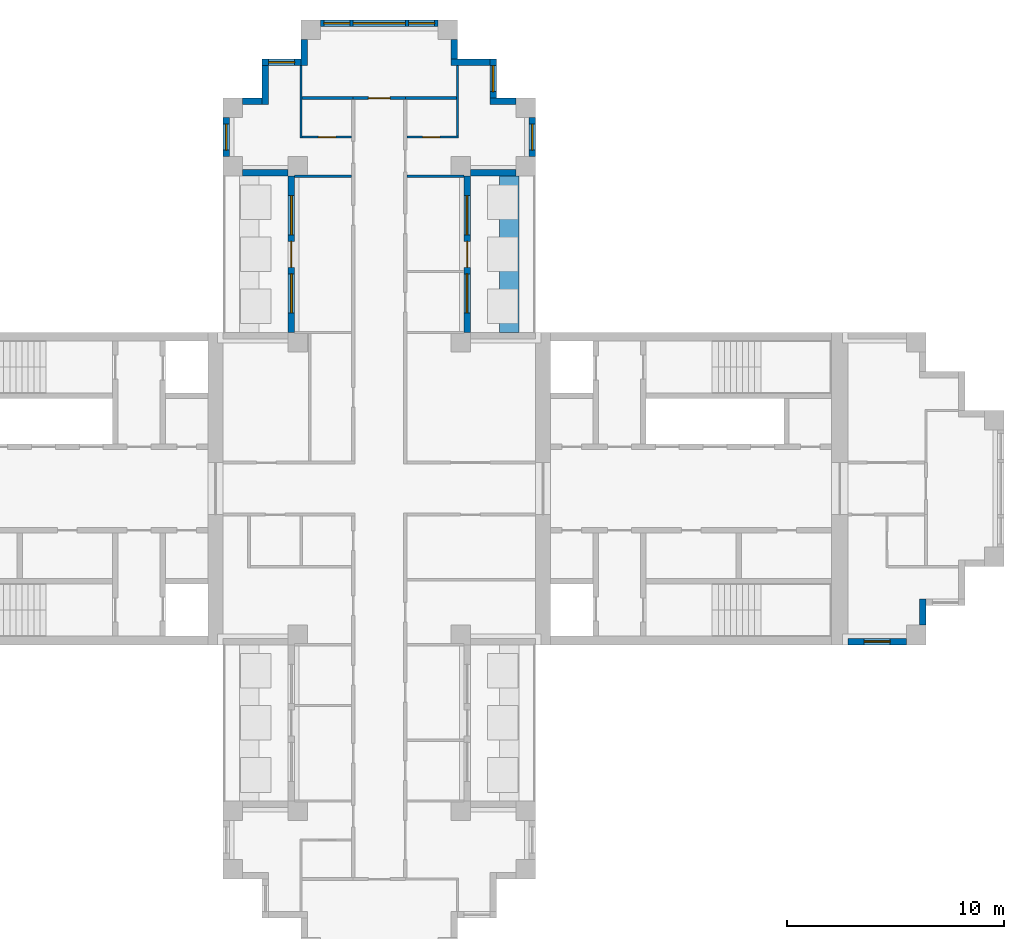
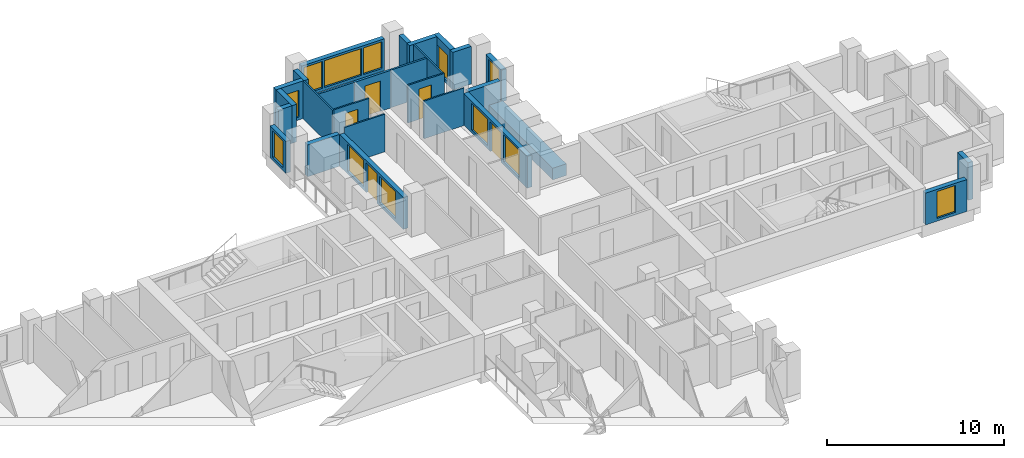
# One storey, part 7 of 11: 27 walls, 12 windows, 5 doors, 17 openings.
"""IFC4 building model written with IfcOpenShell, lengths in metres."""

from ifc_helpers import new_model, si_unit, direction, frame, frame_2d, origin, place, context, subcontext, project, spatial, rectangle, extrude, material, layer, layer_set, type_object, element, fill, save


model = new_model("IFC4")

# Units and contexts
model_context = context("Model", 3, precision=1e-05, world=origin(), true_north=direction((0.0, 1.0)))
body_context = subcontext(model_context, "Body", "Model", "MODEL_VIEW")
ifc_project = project(units=[si_unit("LENGTHUNIT", "METRE"), si_unit("AREAUNIT", "SQUARE_METRE"), si_unit("VOLUMEUNIT", "CUBIC_METRE"), si_unit("PLANEANGLEUNIT", "RADIAN"), si_unit("MASSUNIT", "GRAM", prefix="KILO")], contexts=[model_context])

# Site, building, storey
site_placement = place(None, origin())
site = spatial("IfcSite", under=ifc_project, at=site_placement, CompositionType="ELEMENT")
building_placement = place(site_placement, origin())
building = spatial("IfcBuilding", under=site, at=building_placement, Name="Fustian Cross Tower", CompositionType="ELEMENT")
storey_placement = place(building_placement, frame((0.0, 0.0, 176.699951171875)))
storey = spatial("IfcBuildingStorey", under=building, at=storey_placement, Name="L55", CompositionType="ELEMENT", Elevation=176.699951171875)

# Wall, opening, door
ifc_material_1 = material(Name="Plasterboard on steel stud", Category="steel")
ifc_layer_1 = layer(ifc_material_1, 0.14990234375)
ifc_layer_set_1 = layer_set([ifc_layer_1], Name="Plasterboard on steel stud")
wall_type_1 = type_object("IfcWallType", Name="COMPARTMENT WALL 150 EI 60", PredefinedType="PARTITIONING", material=ifc_layer_set_1)
wall_1_placement = place(storey_placement, frame((-1.199951171875, 18.0, 0.0), z_axis=(0.0, 0.0, 1.0), x_axis=(1.0, 0.0, 0.0)))
wall_1 = element("IfcWall", 1, at=wall_1_placement, inside=storey, type_object=wall_type_1, Name="Partition 33", PredefinedType="PARTITIONING", context=body_context, shape_type="SweptSolid", body=[
    extrude(rectangle(XDim=2.39990234375, YDim=0.14990234375, at=frame_2d((1.199951171875, 0.0))), origin(), (0.0, 0.0, 1.0), 2.60009765625),
])
opening_1_placement = place(wall_1_placement, frame((0.699951171875, 0.0, 0.0)))
opening_1 = element("IfcOpeningElement", 2, at=opening_1_placement, cuts=wall_1, Name="Opening D25013", PredefinedType="OPENING", context=body_context, shape_type="SweptSolid", body=[
    extrude(rectangle(XDim=1.0, YDim=2.10009765625, at=frame_2d((0.5, 1.050048828125))), frame((0.0, 0.0849609375, 0.0), z_axis=(0.0, -1.0, 0.0), x_axis=(1.0, 0.0, 0.0)), (0.0, 0.0, 1.0), 0.169921875),
])
ifc_material_2 = material(Name="Timber fire door set", Category="wood")
door_type_1 = type_object("IfcDoorType", Name="FIRE SWING DOOR 1000 FD30S", OperationType="SINGLE_SWING_LEFT", PredefinedType="DOOR", material=ifc_material_2)
door_1_placement = place(opening_1_placement, origin())
door_1 = element("IfcDoor", 3, at=door_1_placement, inside=storey, type_object=door_type_1, Name="Door D25013", OperationType="SINGLE_SWING_LEFT", OverallHeight=2.10009765625, OverallWidth=1.0, PredefinedType="DOOR", context=body_context, shape_type="SweptSolid", body=[
    extrude(rectangle(XDim=1.0, YDim=2.10009765625, at=frame_2d((0.5, 1.050048828125))), frame((0.0, 0.02490234375, 0.0), z_axis=(0.0, -1.0, 0.0), x_axis=(1.0, 0.0, 0.0)), (0.0, 0.0, 1.0), 0.050048828125),
])
fill(opening_1, door_1)

# Walls
ifc_material_3 = material(Name="Plasterboard on steel stud", Category="steel")
ifc_layer_2 = layer(ifc_material_3, 0.10009765625)
ifc_layer_set_2 = layer_set([ifc_layer_2], Name="Plasterboard on steel stud")
wall_type_2 = type_object("IfcWallType", Name="PARTITION 100 STUD", PredefinedType="PARTITIONING", material=ifc_layer_set_2)
wall_2_placement = place(storey_placement, frame((-3.89990234375, 14.39990234375, 0.0), z_axis=(0.0, 0.0, 1.0), x_axis=(1.0, 0.0, 0.0)))
element("IfcWall", 4, at=wall_2_placement, inside=storey, type_object=wall_type_2, Name="Partition 21", PredefinedType="PARTITIONING", context=body_context, shape_type="SweptSolid", body=[
    extrude(rectangle(XDim=2.625, YDim=0.10009765625, at=frame_2d((1.3125, 0.0))), origin(), (0.0, 0.0, 1.0), 2.60009765625),
])
wall_3_placement = place(storey_placement, frame((-3.60009765625, 16.14990234375, 0.0), z_axis=(0.0, 0.0, 1.0), x_axis=(0.0, 1.0, 0.0)))
element("IfcWall", 5, at=wall_3_placement, inside=storey, type_object=wall_type_2, Name="Partition 26", PredefinedType="PARTITIONING", context=body_context, shape_type="SweptSolid", body=[
    extrude(rectangle(XDim=3.35009765625, YDim=0.10009765625, at=frame_2d((1.675048828125, 0.0))), origin(), (0.0, 0.0, 1.0), 2.60009765625),
])

# Wall, opening, door
wall_4_placement = place(storey_placement, frame((-3.550048828125, 16.199951171875, 0.0), z_axis=(0.0, 0.0, 1.0), x_axis=(1.0, 0.0, 0.0)))
wall_4 = element("IfcWall", 6, at=wall_4_placement, inside=storey, type_object=wall_type_2, Name="Partition 27", PredefinedType="PARTITIONING", context=body_context, shape_type="SweptSolid", body=[
    extrude(rectangle(XDim=2.275146484375, YDim=0.10009765625, at=frame_2d((1.1376953125, 0.0))), origin(), (0.0, 0.0, 1.0), 2.60009765625),
])
opening_2_placement = place(wall_4_placement, frame((0.75, 0.0, 0.0)))
opening_2 = element("IfcOpeningElement", 7, at=opening_2_placement, cuts=wall_4, Name="Opening D25015", PredefinedType="OPENING", context=body_context, shape_type="SweptSolid", body=[
    extrude(rectangle(XDim=0.800048828125, YDim=2.10009765625, at=frame_2d((0.39990234375, 1.050048828125))), frame((0.0, 0.06005859375, 0.0), z_axis=(0.0, -1.0, 0.0), x_axis=(1.0, 0.0, 0.0)), (0.0, 0.0, 1.0), 0.1201171875),
])
ifc_material_4 = material(Name="Painted timber", Category="wood")
door_type_2 = type_object("IfcDoorType", Name="SWING DOOR 800", OperationType="SINGLE_SWING_LEFT", PredefinedType="DOOR", material=ifc_material_4)
door_2_placement = place(opening_2_placement, origin())
door_2 = element("IfcDoor", 8, at=door_2_placement, inside=storey, type_object=door_type_2, Name="Door D25015", OperationType="SINGLE_SWING_LEFT", OverallHeight=2.10009765625, OverallWidth=0.800048828125, PredefinedType="DOOR", context=body_context, shape_type="SweptSolid", body=[
    extrude(rectangle(XDim=0.800048828125, YDim=2.10009765625, at=frame_2d((0.39990234375, 1.050048828125))), frame((0.0, 0.02490234375, 0.0), z_axis=(0.0, -1.0, 0.0), x_axis=(1.0, 0.0, 0.0)), (0.0, 0.0, 1.0), 0.050048828125),
])
fill(opening_2, door_2)

# Wall
wall_5_placement = place(storey_placement, frame((1.27490234375, 14.39990234375, 0.0), z_axis=(0.0, 0.0, 1.0), x_axis=(1.0, 0.0, 0.0)))
element("IfcWall", 9, at=wall_5_placement, inside=storey, type_object=wall_type_2, Name="Partition 45", PredefinedType="PARTITIONING", context=body_context, shape_type="SweptSolid", body=[
    extrude(rectangle(XDim=2.625, YDim=0.10009765625, at=frame_2d((1.3125, 0.0))), origin(), (0.0, 0.0, 1.0), 2.60009765625),
])

# Wall, opening, door
wall_6_placement = place(storey_placement, frame((1.27490234375, 16.199951171875, 0.0), z_axis=(0.0, 0.0, 1.0), x_axis=(1.0, 0.0, 0.0)))
wall_6 = element("IfcWall", 10, at=wall_6_placement, inside=storey, type_object=wall_type_2, Name="Partition 46", PredefinedType="PARTITIONING", context=body_context, shape_type="SweptSolid", body=[
    extrude(rectangle(XDim=2.375, YDim=0.10009765625, at=frame_2d((1.1875, 0.0))), origin(), (0.0, 0.0, 1.0), 2.60009765625),
])
opening_3_placement = place(wall_6_placement, frame((0.72509765625, 0.0, 0.0)))
opening_3 = element("IfcOpeningElement", 11, at=opening_3_placement, cuts=wall_6, Name="Opening D25019", PredefinedType="OPENING", context=body_context, shape_type="SweptSolid", body=[
    extrude(rectangle(XDim=0.800048828125, YDim=2.10009765625, at=frame_2d((0.39990234375, 1.050048828125))), frame((0.0, 0.06005859375, 0.0), z_axis=(0.0, -1.0, 0.0), x_axis=(1.0, 0.0, 0.0)), (0.0, 0.0, 1.0), 0.1201171875),
])
door_3_placement = place(opening_3_placement, origin())
door_3 = element("IfcDoor", 12, at=door_3_placement, inside=storey, type_object=door_type_2, Name="Door D25019", OperationType="SINGLE_SWING_LEFT", OverallHeight=2.10009765625, OverallWidth=0.800048828125, PredefinedType="DOOR", context=body_context, shape_type="SweptSolid", body=[
    extrude(rectangle(XDim=0.800048828125, YDim=2.10009765625, at=frame_2d((0.39990234375, 1.050048828125))), frame((0.0, 0.02490234375, 0.0), z_axis=(0.0, -1.0, 0.0), x_axis=(1.0, 0.0, 0.0)), (0.0, 0.0, 1.0), 0.050048828125),
])
fill(opening_3, door_3)

# Walls
wall_7_placement = place(storey_placement, frame((3.60009765625, 16.25, 0.0), z_axis=(0.0, 0.0, 1.0), x_axis=(0.0, 1.0, 0.0)))
element("IfcWall", 13, at=wall_7_placement, inside=storey, type_object=wall_type_2, Name="Partition 49", PredefinedType="PARTITIONING", context=body_context, shape_type="SweptSolid", body=[
    extrude(rectangle(XDim=3.25, YDim=0.10009765625, at=frame_2d((1.625, 0.0))), origin(), (0.0, 0.0, 1.0), 2.60009765625),
])
ifc_material_5 = material(Name="Concrete C40/50", Category="concrete")
ifc_layer_3 = layer(ifc_material_5, 0.89990234375)
ifc_layer_set_3 = layer_set([ifc_layer_3], Name="Concrete C40/50")
wall_type_3 = type_object("IfcWallType", Name="PK1 PLANTER 900", PredefinedType="PARAPET", material=ifc_layer_set_3)
wall_8_placement = place(storey_placement, frame((6.0, 7.199951171875, 0.0), z_axis=(0.0, 0.0, 1.0), x_axis=(0.0, 1.0, 0.0)))
element("IfcWall", 14, at=wall_8_placement, inside=storey, type_object=wall_type_3, Name="PLANTER", PredefinedType="PARAPET", context=body_context, shape_type="SweptSolid", body=[
    extrude(rectangle(XDim=7.199951171875, YDim=0.89990234375, at=frame_2d((3.60009765625, 0.0))), origin(), (0.0, 0.0, 1.0), 0.800048828125),
])
ifc_material_6 = material(Name="Plasterboard on steel stud", Category="steel")
ifc_layer_4 = layer(ifc_material_6, 0.125)
ifc_layer_set_4 = layer_set([ifc_layer_4], Name="Plasterboard on steel stud")
wall_type_4 = type_object("IfcWallType", Name="WET WALL 125 STUD", PredefinedType="PARTITIONING", material=ifc_layer_set_4)
for number, where, z_axis, x_axis, name in (
    (15, (-3.550048828125, 18.0, 0.0), (0.0, 0.0, 1.0), (1.0, 0.0, 0.0), "Partition 28"),
    (16, (1.199951171875, 18.0, 0.0), (0.0, 0.0, 1.0), (1.0, 0.0, 0.0), "Partition 47"),
):
    element("IfcWall", number, at=place(storey_placement, frame(where, z_axis=z_axis, x_axis=x_axis)), inside=storey, type_object=wall_type_4, Name=name, PredefinedType="PARTITIONING", context=body_context, shape_type="SweptSolid", body=[
        extrude(rectangle(XDim=2.35009765625, YDim=0.125, at=frame_2d((1.175048828125, 0.0))), origin(), (0.0, 0.0, 1.0), 2.60009765625),
    ])

# Wall, opening, window
ifc_material_7 = material(Name="Dark aluminium cladding on insulated backing wall", Category="aluminium")
ifc_layer_5 = layer(ifc_material_7, 0.300048828125)
ifc_layer_set_5 = layer_set([ifc_layer_5], Name="Dark aluminium cladding on insulated backing wall")
wall_type_5 = type_object("IfcWallType", Name="XW1 EXTERNAL WALL 300", PredefinedType="SOLIDWALL", material=ifc_layer_set_5)
wall_9_placement = place(storey_placement, frame((21.60009765625, -7.050048828125, 0.0), z_axis=(0.0, 0.0, 1.0), x_axis=(1.0, 0.0, 0.0)))
wall_9 = element("IfcWall", 17, at=wall_9_placement, inside=storey, type_object=wall_type_5, Name="External wall", PredefinedType="SOLIDWALL", context=body_context, shape_type="SweptSolid", body=[
    extrude(rectangle(XDim=2.699951171875, YDim=0.300048828125, at=frame_2d((1.35009765625, 0.0))), origin(), (0.0, 0.0, 1.0), 2.199951171875),
])
opening_4_placement = place(wall_9_placement, frame((0.75, 0.0, 0.199951171875)))
opening_4 = element("IfcOpeningElement", 18, at=opening_4_placement, cuts=wall_9, Name="Opening WN3", PredefinedType="OPENING", context=body_context, shape_type="SweptSolid", body=[
    extrude(rectangle(XDim=1.199951171875, YDim=1.85009765625, at=frame_2d((0.60009765625, 0.925048828125))), frame((0.0, 0.159912109375, 0.0), z_axis=(0.0, -1.0, 0.0), x_axis=(1.0, 0.0, 0.0)), (0.0, 0.0, 1.0), 0.320068359375),
])
ifc_material_8 = material(Name="Dark anodised aluminium and double glazing", Category="aluminium")
window_type_1 = type_object("IfcWindowType", Name="WN3 WINDOW 1200X1850", PartitioningType="SINGLE_PANEL", PredefinedType="WINDOW", material=ifc_material_8)
window_1_placement = place(opening_4_placement, origin())
window_1 = element("IfcWindow", 19, at=window_1_placement, inside=storey, type_object=window_type_1, Name="Window", OverallHeight=1.85009765625, OverallWidth=1.199951171875, PartitioningType="SINGLE_PANEL", PredefinedType="WINDOW", context=body_context, shape_type="SweptSolid", body=[
    extrude(rectangle(XDim=1.199951171875, YDim=1.85009765625, at=frame_2d((0.60009765625, 0.925048828125))), frame((0.0, 0.030029296875, 0.0), z_axis=(0.0, -1.0, 0.0), x_axis=(1.0, 0.0, 0.0)), (0.0, 0.0, 1.0), 0.06005859375),
])
fill(opening_4, window_1)

# Wall
wall_10_placement = place(storey_placement, frame((25.050048828125, -6.300048828125, 0.0), z_axis=(0.0, 0.0, 1.0), x_axis=(0.0, 1.0, 0.0)))
element("IfcWall", 20, at=wall_10_placement, inside=storey, type_object=wall_type_5, Name="External wall", PredefinedType="SOLIDWALL", context=body_context, shape_type="SweptSolid", body=[
    extrude(rectangle(XDim=1.199951171875, YDim=0.300048828125, at=frame_2d((0.60009765625, 0.0))), origin(), (0.0, 0.0, 1.0), 2.60009765625),
])

# Wall, openings, door, windows
wall_11_placement = place(storey_placement, frame((4.050048828125, 7.199951171875, 0.0), z_axis=(0.0, 0.0, 1.0), x_axis=(0.0, 1.0, 0.0)))
wall_11 = element("IfcWall", 21, at=wall_11_placement, inside=storey, type_object=wall_type_5, Name="External wall", PredefinedType="SOLIDWALL", context=body_context, shape_type="SweptSolid", body=[
    extrude(rectangle(XDim=7.199951171875, YDim=0.300048828125, at=frame_2d((3.60009765625, 0.0))), origin(), (0.0, 0.0, 1.0), 2.199951171875),
])
opening_5_placement = place(wall_11_placement, frame((3.0, 0.0, 0.0)))
opening_5 = element("IfcOpeningElement", 22, at=opening_5_placement, cuts=wall_11, Name="Opening XD1", PredefinedType="OPENING", context=body_context, shape_type="SweptSolid", body=[
    extrude(rectangle(XDim=1.199951171875, YDim=2.050048828125, at=frame_2d((0.60009765625, 1.02490234375))), frame((0.0, 0.159912109375, 0.0), z_axis=(0.0, -1.0, 0.0), x_axis=(1.0, 0.0, 0.0)), (0.0, 0.0, 1.0), 0.320068359375),
])
opening_6_placement = place(wall_11_placement, frame((0.89990234375, 0.0, 0.199951171875)))
opening_6 = element("IfcOpeningElement", 23, at=opening_6_placement, cuts=wall_11, Name="Opening WN2", PredefinedType="OPENING", context=body_context, shape_type="SweptSolid", body=[
    extrude(rectangle(XDim=1.800048828125, YDim=1.85009765625, at=frame_2d((0.89990234375, 0.925048828125))), frame((0.0, 0.159912109375, 0.0), z_axis=(0.0, -1.0, 0.0), x_axis=(1.0, 0.0, 0.0)), (0.0, 0.0, 1.0), 0.320068359375),
])
opening_7_placement = place(wall_11_placement, frame((4.5, 0.0, 0.199951171875)))
opening_7 = element("IfcOpeningElement", 24, at=opening_7_placement, cuts=wall_11, Name="Opening WN2", PredefinedType="OPENING", context=body_context, shape_type="SweptSolid", body=[
    extrude(rectangle(XDim=1.800048828125, YDim=1.85009765625, at=frame_2d((0.89990234375, 0.925048828125))), frame((0.0, 0.159912109375, 0.0), z_axis=(0.0, -1.0, 0.0), x_axis=(1.0, 0.0, 0.0)), (0.0, 0.0, 1.0), 0.320068359375),
])
ifc_material_9 = material(Name="Dark anodised aluminium and double glazing", Category="aluminium")
door_type_3 = type_object("IfcDoorType", Name="ED1 BALCONY DOOR 1200X2050", OperationType="SINGLE_SWING_LEFT", PredefinedType="DOOR", material=ifc_material_9)
door_4_placement = place(opening_5_placement, origin())
door_4 = element("IfcDoor", 25, at=door_4_placement, inside=storey, type_object=door_type_3, Name="Balcony door", OperationType="SINGLE_SWING_LEFT", OverallHeight=2.050048828125, OverallWidth=1.199951171875, PredefinedType="DOOR", context=body_context, shape_type="SweptSolid", body=[
    extrude(rectangle(XDim=1.199951171875, YDim=2.050048828125, at=frame_2d((0.60009765625, 1.02490234375))), frame((0.0, 0.02490234375, 0.0), z_axis=(0.0, -1.0, 0.0), x_axis=(1.0, 0.0, 0.0)), (0.0, 0.0, 1.0), 0.050048828125),
])
fill(opening_5, door_4)
ifc_material_10 = material(Name="Dark anodised aluminium and double glazing", Category="aluminium")
window_type_2 = type_object("IfcWindowType", Name="WN2 WINDOW 1800X1850", PartitioningType="SINGLE_PANEL", PredefinedType="WINDOW", material=ifc_material_10)
window_2_placement = place(opening_6_placement, origin())
window_2 = element("IfcWindow", 26, at=window_2_placement, inside=storey, type_object=window_type_2, Name="Window", OverallHeight=1.85009765625, OverallWidth=1.800048828125, PartitioningType="SINGLE_PANEL", PredefinedType="WINDOW", context=body_context, shape_type="SweptSolid", body=[
    extrude(rectangle(XDim=1.800048828125, YDim=1.85009765625, at=frame_2d((0.89990234375, 0.925048828125))), frame((0.0, 0.030029296875, 0.0), z_axis=(0.0, -1.0, 0.0), x_axis=(1.0, 0.0, 0.0)), (0.0, 0.0, 1.0), 0.06005859375),
])
fill(opening_6, window_2)
window_3_placement = place(opening_7_placement, origin())
window_3 = element("IfcWindow", 27, at=window_3_placement, inside=storey, type_object=window_type_2, Name="Window", OverallHeight=1.85009765625, OverallWidth=1.800048828125, PartitioningType="SINGLE_PANEL", PredefinedType="WINDOW", context=body_context, shape_type="SweptSolid", body=[
    extrude(rectangle(XDim=1.800048828125, YDim=1.85009765625, at=frame_2d((0.89990234375, 0.925048828125))), frame((0.0, 0.030029296875, 0.0), z_axis=(0.0, -1.0, 0.0), x_axis=(1.0, 0.0, 0.0)), (0.0, 0.0, 1.0), 0.06005859375),
])
fill(opening_7, window_3)

# Wall
wall_12_placement = place(storey_placement, frame((4.199951171875, 14.550048828125, 0.0), z_axis=(0.0, 0.0, 1.0), x_axis=(1.0, 0.0, 0.0)))
element("IfcWall", 28, at=wall_12_placement, inside=storey, type_object=wall_type_5, Name="External wall", PredefinedType="SOLIDWALL", context=body_context, shape_type="SweptSolid", body=[
    extrude(rectangle(XDim=2.10009765625, YDim=0.300048828125, at=frame_2d((1.050048828125, 0.0))), origin(), (0.0, 0.0, 1.0), 2.199951171875),
])

# Wall, opening, window
wall_13_placement = place(storey_placement, frame((7.050048828125, 15.300048828125, 0.0), z_axis=(0.0, 0.0, 1.0), x_axis=(0.0, 1.0, 0.0)))
wall_13 = element("IfcWall", 29, at=wall_13_placement, inside=storey, type_object=wall_type_5, Name="External wall", PredefinedType="SOLIDWALL", context=body_context, shape_type="SweptSolid", body=[
    extrude(rectangle(XDim=1.800048828125, YDim=0.300048828125, at=frame_2d((0.89990234375, 0.0))), origin(), (0.0, 0.0, 1.0), 2.199951171875),
])
opening_8_placement = place(wall_13_placement, frame((0.300048828125, 0.0, 0.199951171875)))
opening_8 = element("IfcOpeningElement", 30, at=opening_8_placement, cuts=wall_13, Name="Opening WN3", PredefinedType="OPENING", context=body_context, shape_type="SweptSolid", body=[
    extrude(rectangle(XDim=1.199951171875, YDim=1.85009765625, at=frame_2d((0.60009765625, 0.925048828125))), frame((0.0, 0.159912109375, 0.0), z_axis=(0.0, -1.0, 0.0), x_axis=(1.0, 0.0, 0.0)), (0.0, 0.0, 1.0), 0.320068359375),
])
window_4_placement = place(opening_8_placement, origin())
window_4 = element("IfcWindow", 31, at=window_4_placement, inside=storey, type_object=window_type_1, Name="Window", OverallHeight=1.85009765625, OverallWidth=1.199951171875, PartitioningType="SINGLE_PANEL", PredefinedType="WINDOW", context=body_context, shape_type="SweptSolid", body=[
    extrude(rectangle(XDim=1.199951171875, YDim=1.85009765625, at=frame_2d((0.60009765625, 0.925048828125))), frame((0.0, 0.030029296875, 0.0), z_axis=(0.0, -1.0, 0.0), x_axis=(1.0, 0.0, 0.0)), (0.0, 0.0, 1.0), 0.06005859375),
])
fill(opening_8, window_4)

# Wall
wall_14_placement = place(storey_placement, frame((6.300048828125, 17.85009765625, 0.0), z_axis=(0.0, 0.0, 1.0), x_axis=(-1.0, 0.0, 0.0)))
element("IfcWall", 32, at=wall_14_placement, inside=storey, type_object=wall_type_5, Name="External wall", PredefinedType="SOLIDWALL", context=body_context, shape_type="SweptSolid", body=[
    extrude(rectangle(XDim=1.199951171875, YDim=0.300048828125, at=frame_2d((0.60009765625, 0.0))), origin(), (0.0, 0.0, 1.0), 2.60009765625),
])

# Wall, opening, window
wall_15_placement = place(storey_placement, frame((5.25, 18.0, 0.0), z_axis=(0.0, 0.0, 1.0), x_axis=(0.0, 1.0, 0.0)))
wall_15 = element("IfcWall", 33, at=wall_15_placement, inside=storey, type_object=wall_type_5, Name="External wall", PredefinedType="SOLIDWALL", context=body_context, shape_type="SweptSolid", body=[
    extrude(rectangle(XDim=1.800048828125, YDim=0.300048828125, at=frame_2d((0.89990234375, 0.0))), origin(), (0.0, 0.0, 1.0), 2.60009765625),
])
opening_9_placement = place(wall_15_placement, frame((0.300048828125, 0.0, 0.199951171875)))
opening_9 = element("IfcOpeningElement", 34, at=opening_9_placement, cuts=wall_15, Name="Opening WN3", PredefinedType="OPENING", context=body_context, shape_type="SweptSolid", body=[
    extrude(rectangle(XDim=1.199951171875, YDim=1.85009765625, at=frame_2d((0.60009765625, 0.925048828125))), frame((0.0, 0.159912109375, 0.0), z_axis=(0.0, -1.0, 0.0), x_axis=(1.0, 0.0, 0.0)), (0.0, 0.0, 1.0), 0.320068359375),
])
window_5_placement = place(opening_9_placement, origin())
window_5 = element("IfcWindow", 35, at=window_5_placement, inside=storey, type_object=window_type_1, Name="Window", OverallHeight=1.85009765625, OverallWidth=1.199951171875, PartitioningType="SINGLE_PANEL", PredefinedType="WINDOW", context=body_context, shape_type="SweptSolid", body=[
    extrude(rectangle(XDim=1.199951171875, YDim=1.85009765625, at=frame_2d((0.60009765625, 0.925048828125))), frame((0.0, 0.030029296875, 0.0), z_axis=(0.0, -1.0, 0.0), x_axis=(1.0, 0.0, 0.0)), (0.0, 0.0, 1.0), 0.06005859375),
])
fill(opening_9, window_5)

# Walls
wall_16_placement = place(storey_placement, frame((5.10009765625, 19.64990234375, 0.0), z_axis=(0.0, 0.0, 1.0), x_axis=(-1.0, 0.0, 0.0)))
element("IfcWall", 36, at=wall_16_placement, inside=storey, type_object=wall_type_5, Name="External wall", PredefinedType="SOLIDWALL", context=body_context, shape_type="SweptSolid", body=[
    extrude(rectangle(XDim=1.800048828125, YDim=0.300048828125, at=frame_2d((0.89990234375, 0.0))), origin(), (0.0, 0.0, 1.0), 2.60009765625),
])
wall_17_placement = place(storey_placement, frame((3.449951171875, 19.800048828125, 0.0), z_axis=(0.0, 0.0, 1.0), x_axis=(0.0, 1.0, 0.0)))
element("IfcWall", 37, at=wall_17_placement, inside=storey, type_object=wall_type_5, Name="External wall", PredefinedType="SOLIDWALL", context=body_context, shape_type="SweptSolid", body=[
    extrude(rectangle(XDim=0.89990234375, YDim=0.300048828125, at=frame_2d((0.449951171875, 0.0))), origin(), (0.0, 0.0, 1.0), 2.60009765625),
])

# Wall, openings, windows
wall_18_placement = place(storey_placement, frame((2.699951171875, 21.449951171875, 0.0), z_axis=(0.0, 0.0, 1.0), x_axis=(-1.0, 0.0, 0.0)))
wall_18 = element("IfcWall", 38, at=wall_18_placement, inside=storey, type_object=wall_type_5, Name="External wall", PredefinedType="SOLIDWALL", context=body_context, shape_type="SweptSolid", body=[
    extrude(rectangle(XDim=5.39990234375, YDim=0.300048828125, at=frame_2d((2.699951171875, 0.0))), origin(), (0.0, 0.0, 1.0), 2.199951171875),
])
opening_10_placement = place(wall_18_placement, frame((1.5, 0.0, 0.199951171875)))
opening_10 = element("IfcOpeningElement", 39, at=opening_10_placement, cuts=wall_18, Name="Opening WN1", PredefinedType="OPENING", context=body_context, shape_type="SweptSolid", body=[
    extrude(rectangle(XDim=2.39990234375, YDim=1.85009765625, at=frame_2d((1.199951171875, 0.925048828125))), frame((0.0, 0.159912109375, 0.0), z_axis=(0.0, -1.0, 0.0), x_axis=(1.0, 0.0, 0.0)), (0.0, 0.0, 1.0), 0.320068359375),
])
opening_11_placement = place(wall_18_placement, frame((0.14990234375, 0.0, 0.199951171875)))
opening_11 = element("IfcOpeningElement", 40, at=opening_11_placement, cuts=wall_18, Name="Opening WN3", PredefinedType="OPENING", context=body_context, shape_type="SweptSolid", body=[
    extrude(rectangle(XDim=1.199951171875, YDim=1.85009765625, at=frame_2d((0.60009765625, 0.925048828125))), frame((0.0, 0.159912109375, 0.0), z_axis=(0.0, -1.0, 0.0), x_axis=(1.0, 0.0, 0.0)), (0.0, 0.0, 1.0), 0.320068359375),
])
opening_12_placement = place(wall_18_placement, frame((4.050048828125, 0.0, 0.199951171875)))
opening_12 = element("IfcOpeningElement", 41, at=opening_12_placement, cuts=wall_18, Name="Opening WN3", PredefinedType="OPENING", context=body_context, shape_type="SweptSolid", body=[
    extrude(rectangle(XDim=1.199951171875, YDim=1.85009765625, at=frame_2d((0.60009765625, 0.925048828125))), frame((0.0, 0.159912109375, 0.0), z_axis=(0.0, -1.0, 0.0), x_axis=(1.0, 0.0, 0.0)), (0.0, 0.0, 1.0), 0.320068359375),
])
ifc_material_11 = material(Name="Dark anodised aluminium and double glazing", Category="aluminium")
window_type_3 = type_object("IfcWindowType", Name="WN1 WINDOW 2400X1850", PartitioningType="SINGLE_PANEL", PredefinedType="WINDOW", material=ifc_material_11)
window_6_placement = place(opening_10_placement, origin())
window_6 = element("IfcWindow", 42, at=window_6_placement, inside=storey, type_object=window_type_3, Name="Window", OverallHeight=1.85009765625, OverallWidth=2.39990234375, PartitioningType="SINGLE_PANEL", PredefinedType="WINDOW", context=body_context, shape_type="SweptSolid", body=[
    extrude(rectangle(XDim=2.39990234375, YDim=1.85009765625, at=frame_2d((1.199951171875, 0.925048828125))), frame((0.0, 0.030029296875, 0.0), z_axis=(0.0, -1.0, 0.0), x_axis=(1.0, 0.0, 0.0)), (0.0, 0.0, 1.0), 0.06005859375),
])
fill(opening_10, window_6)
window_7_placement = place(opening_11_placement, origin())
window_7 = element("IfcWindow", 43, at=window_7_placement, inside=storey, type_object=window_type_1, Name="Window", OverallHeight=1.85009765625, OverallWidth=1.199951171875, PartitioningType="SINGLE_PANEL", PredefinedType="WINDOW", context=body_context, shape_type="SweptSolid", body=[
    extrude(rectangle(XDim=1.199951171875, YDim=1.85009765625, at=frame_2d((0.60009765625, 0.925048828125))), frame((0.0, 0.030029296875, 0.0), z_axis=(0.0, -1.0, 0.0), x_axis=(1.0, 0.0, 0.0)), (0.0, 0.0, 1.0), 0.06005859375),
])
fill(opening_11, window_7)
window_8_placement = place(opening_12_placement, origin())
window_8 = element("IfcWindow", 44, at=window_8_placement, inside=storey, type_object=window_type_1, Name="Window", OverallHeight=1.85009765625, OverallWidth=1.199951171875, PartitioningType="SINGLE_PANEL", PredefinedType="WINDOW", context=body_context, shape_type="SweptSolid", body=[
    extrude(rectangle(XDim=1.199951171875, YDim=1.85009765625, at=frame_2d((0.60009765625, 0.925048828125))), frame((0.0, 0.030029296875, 0.0), z_axis=(0.0, -1.0, 0.0), x_axis=(1.0, 0.0, 0.0)), (0.0, 0.0, 1.0), 0.06005859375),
])
fill(opening_12, window_8)

# Wall
wall_19_placement = place(storey_placement, frame((-3.449951171875, 20.699951171875, 0.0), z_axis=(0.0, 0.0, 1.0), x_axis=(0.0, -1.0, 0.0)))
element("IfcWall", 45, at=wall_19_placement, inside=storey, type_object=wall_type_5, Name="External wall", PredefinedType="SOLIDWALL", context=body_context, shape_type="SweptSolid", body=[
    extrude(rectangle(XDim=1.199951171875, YDim=0.300048828125, at=frame_2d((0.60009765625, 0.0))), origin(), (0.0, 0.0, 1.0), 2.60009765625),
])

# Wall, opening, window
wall_20_placement = place(storey_placement, frame((-3.60009765625, 19.64990234375, 0.0), z_axis=(0.0, 0.0, 1.0), x_axis=(-1.0, 0.0, 0.0)))
wall_20 = element("IfcWall", 46, at=wall_20_placement, inside=storey, type_object=wall_type_5, Name="External wall", PredefinedType="SOLIDWALL", context=body_context, shape_type="SweptSolid", body=[
    extrude(rectangle(XDim=1.7998046875, YDim=0.300048828125, at=frame_2d((0.89990234375, 0.0))), origin(), (0.0, 0.0, 1.0), 2.60009765625),
])
opening_13_placement = place(wall_20_placement, frame((0.300048828125, 0.0, 0.199951171875)))
opening_13 = element("IfcOpeningElement", 47, at=opening_13_placement, cuts=wall_20, Name="Opening WN3", PredefinedType="OPENING", context=body_context, shape_type="SweptSolid", body=[
    extrude(rectangle(XDim=1.199951171875, YDim=1.85009765625, at=frame_2d((0.60009765625, 0.925048828125))), frame((0.0, 0.159912109375, 0.0), z_axis=(0.0, -1.0, 0.0), x_axis=(1.0, 0.0, 0.0)), (0.0, 0.0, 1.0), 0.320068359375),
])
window_9_placement = place(opening_13_placement, origin())
window_9 = element("IfcWindow", 48, at=window_9_placement, inside=storey, type_object=window_type_1, Name="Window", OverallHeight=1.85009765625, OverallWidth=1.199951171875, PartitioningType="SINGLE_PANEL", PredefinedType="WINDOW", context=body_context, shape_type="SweptSolid", body=[
    extrude(rectangle(XDim=1.199951171875, YDim=1.85009765625, at=frame_2d((0.60009765625, 0.925048828125))), frame((0.0, 0.030029296875, 0.0), z_axis=(0.0, -1.0, 0.0), x_axis=(1.0, 0.0, 0.0)), (0.0, 0.0, 1.0), 0.06005859375),
])
fill(opening_13, window_9)

# Walls
wall_21_placement = place(storey_placement, frame((-5.25, 19.5, 0.0), z_axis=(0.0, 0.0, 1.0), x_axis=(0.0, -1.0, 0.0)))
element("IfcWall", 49, at=wall_21_placement, inside=storey, type_object=wall_type_5, Name="External wall", PredefinedType="SOLIDWALL", context=body_context, shape_type="SweptSolid", body=[
    extrude(rectangle(XDim=1.800048828125, YDim=0.300048828125, at=frame_2d((0.89990234375, 0.0))), origin(), (0.0, 0.0, 1.0), 2.60009765625),
])
wall_22_placement = place(storey_placement, frame((-5.39990234375, 17.85009765625, 0.0), z_axis=(0.0, 0.0, 1.0), x_axis=(-1.0, 0.0, 0.0)))
element("IfcWall", 50, at=wall_22_placement, inside=storey, type_object=wall_type_5, Name="External wall", PredefinedType="SOLIDWALL", context=body_context, shape_type="SweptSolid", body=[
    extrude(rectangle(XDim=0.900146484375, YDim=0.300048828125, at=frame_2d((0.4501953125, 0.0))), origin(), (0.0, 0.0, 1.0), 2.60009765625),
])

# Wall, opening, window
wall_23_placement = place(storey_placement, frame((-7.050048828125, 17.10009765625, 0.0), z_axis=(0.0, 0.0, 1.0), x_axis=(0.0, -1.0, 0.0)))
wall_23 = element("IfcWall", 51, at=wall_23_placement, inside=storey, type_object=wall_type_5, Name="External wall", PredefinedType="SOLIDWALL", context=body_context, shape_type="SweptSolid", body=[
    extrude(rectangle(XDim=1.800048828125, YDim=0.300048828125, at=frame_2d((0.89990234375, 0.0))), origin(), (0.0, 0.0, 1.0), 2.199951171875),
])
opening_14_placement = place(wall_23_placement, frame((0.300048828125, 0.0, 0.199951171875)))
opening_14 = element("IfcOpeningElement", 52, at=opening_14_placement, cuts=wall_23, Name="Opening WN3", PredefinedType="OPENING", context=body_context, shape_type="SweptSolid", body=[
    extrude(rectangle(XDim=1.199951171875, YDim=1.85009765625, at=frame_2d((0.60009765625, 0.925048828125))), frame((0.0, 0.159912109375, 0.0), z_axis=(0.0, -1.0, 0.0), x_axis=(1.0, 0.0, 0.0)), (0.0, 0.0, 1.0), 0.320068359375),
])
window_10_placement = place(opening_14_placement, origin())
window_10 = element("IfcWindow", 53, at=window_10_placement, inside=storey, type_object=window_type_1, Name="Window", OverallHeight=1.85009765625, OverallWidth=1.199951171875, PartitioningType="SINGLE_PANEL", PredefinedType="WINDOW", context=body_context, shape_type="SweptSolid", body=[
    extrude(rectangle(XDim=1.199951171875, YDim=1.85009765625, at=frame_2d((0.60009765625, 0.925048828125))), frame((0.0, 0.030029296875, 0.0), z_axis=(0.0, -1.0, 0.0), x_axis=(1.0, 0.0, 0.0)), (0.0, 0.0, 1.0), 0.06005859375),
])
fill(opening_14, window_10)

# Wall
wall_24_placement = place(storey_placement, frame((-6.300048828125, 14.550048828125, 0.0), z_axis=(0.0, 0.0, 1.0), x_axis=(1.0, 0.0, 0.0)))
element("IfcWall", 54, at=wall_24_placement, inside=storey, type_object=wall_type_5, Name="External wall", PredefinedType="SOLIDWALL", context=body_context, shape_type="SweptSolid", body=[
    extrude(rectangle(XDim=2.10009765625, YDim=0.300048828125, at=frame_2d((1.050048828125, 0.0))), origin(), (0.0, 0.0, 1.0), 2.199951171875),
])

# Wall, openings, door, windows
wall_25_placement = place(storey_placement, frame((-4.050048828125, 14.39990234375, 0.0), z_axis=(0.0, 0.0, 1.0), x_axis=(0.0, -1.0, 0.0)))
wall_25 = element("IfcWall", 55, at=wall_25_placement, inside=storey, type_object=wall_type_5, Name="External wall", PredefinedType="SOLIDWALL", context=body_context, shape_type="SweptSolid", body=[
    extrude(rectangle(XDim=7.199951171875, YDim=0.300048828125, at=frame_2d((3.60009765625, 0.0))), origin(), (0.0, 0.0, 1.0), 2.199951171875),
])
opening_15_placement = place(wall_25_placement, frame((3.0, 0.0, 0.0)))
opening_15 = element("IfcOpeningElement", 56, at=opening_15_placement, cuts=wall_25, Name="Opening XD2", PredefinedType="OPENING", context=body_context, shape_type="SweptSolid", body=[
    extrude(rectangle(XDim=1.199951171875, YDim=2.050048828125, at=frame_2d((0.60009765625, 1.02490234375))), frame((0.0, 0.159912109375, 0.0), z_axis=(0.0, -1.0, 0.0), x_axis=(1.0, 0.0, 0.0)), (0.0, 0.0, 1.0), 0.320068359375),
])
opening_16_placement = place(wall_25_placement, frame((0.89990234375, 0.0, 0.199951171875)))
opening_16 = element("IfcOpeningElement", 57, at=opening_16_placement, cuts=wall_25, Name="Opening WN2", PredefinedType="OPENING", context=body_context, shape_type="SweptSolid", body=[
    extrude(rectangle(XDim=1.800048828125, YDim=1.85009765625, at=frame_2d((0.89990234375, 0.925048828125))), frame((0.0, 0.159912109375, 0.0), z_axis=(0.0, -1.0, 0.0), x_axis=(1.0, 0.0, 0.0)), (0.0, 0.0, 1.0), 0.320068359375),
])
opening_17_placement = place(wall_25_placement, frame((4.5, 0.0, 0.199951171875)))
opening_17 = element("IfcOpeningElement", 58, at=opening_17_placement, cuts=wall_25, Name="Opening WN2", PredefinedType="OPENING", context=body_context, shape_type="SweptSolid", body=[
    extrude(rectangle(XDim=1.800048828125, YDim=1.85009765625, at=frame_2d((0.89990234375, 0.925048828125))), frame((0.0, 0.159912109375, 0.0), z_axis=(0.0, -1.0, 0.0), x_axis=(1.0, 0.0, 0.0)), (0.0, 0.0, 1.0), 0.320068359375),
])
door_5_placement = place(opening_15_placement, origin())
door_5 = element("IfcDoor", 59, at=door_5_placement, inside=storey, type_object=door_type_3, Name="Balcony door", OperationType="SINGLE_SWING_LEFT", OverallHeight=2.050048828125, OverallWidth=1.199951171875, PredefinedType="DOOR", context=body_context, shape_type="SweptSolid", body=[
    extrude(rectangle(XDim=1.199951171875, YDim=2.050048828125, at=frame_2d((0.60009765625, 1.02490234375))), frame((0.0, 0.02490234375, 0.0), z_axis=(0.0, -1.0, 0.0), x_axis=(1.0, 0.0, 0.0)), (0.0, 0.0, 1.0), 0.050048828125),
])
fill(opening_15, door_5)
window_11_placement = place(opening_16_placement, origin())
window_11 = element("IfcWindow", 60, at=window_11_placement, inside=storey, type_object=window_type_2, Name="Window", OverallHeight=1.85009765625, OverallWidth=1.800048828125, PartitioningType="SINGLE_PANEL", PredefinedType="WINDOW", context=body_context, shape_type="SweptSolid", body=[
    extrude(rectangle(XDim=1.800048828125, YDim=1.85009765625, at=frame_2d((0.89990234375, 0.925048828125))), frame((0.0, 0.030029296875, 0.0), z_axis=(0.0, -1.0, 0.0), x_axis=(1.0, 0.0, 0.0)), (0.0, 0.0, 1.0), 0.06005859375),
])
fill(opening_16, window_11)
window_12_placement = place(opening_17_placement, origin())
window_12 = element("IfcWindow", 61, at=window_12_placement, inside=storey, type_object=window_type_2, Name="Window", OverallHeight=1.85009765625, OverallWidth=1.800048828125, PartitioningType="SINGLE_PANEL", PredefinedType="WINDOW", context=body_context, shape_type="SweptSolid", body=[
    extrude(rectangle(XDim=1.800048828125, YDim=1.85009765625, at=frame_2d((0.89990234375, 0.925048828125))), frame((0.0, 0.030029296875, 0.0), z_axis=(0.0, -1.0, 0.0), x_axis=(1.0, 0.0, 0.0)), (0.0, 0.0, 1.0), 0.06005859375),
])
fill(opening_17, window_12)

save(model, "model.ifc")
